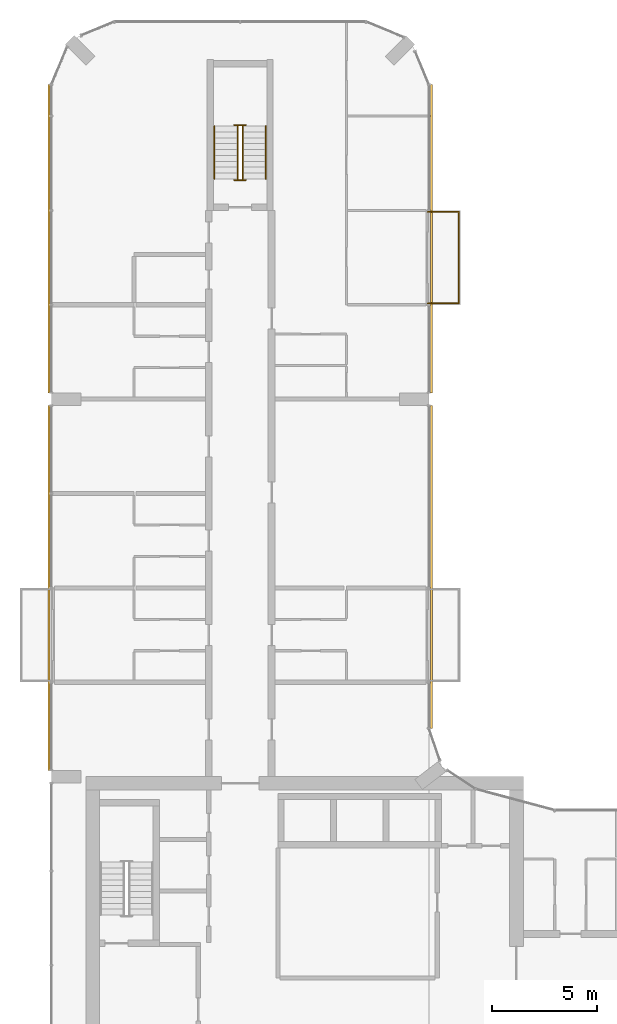
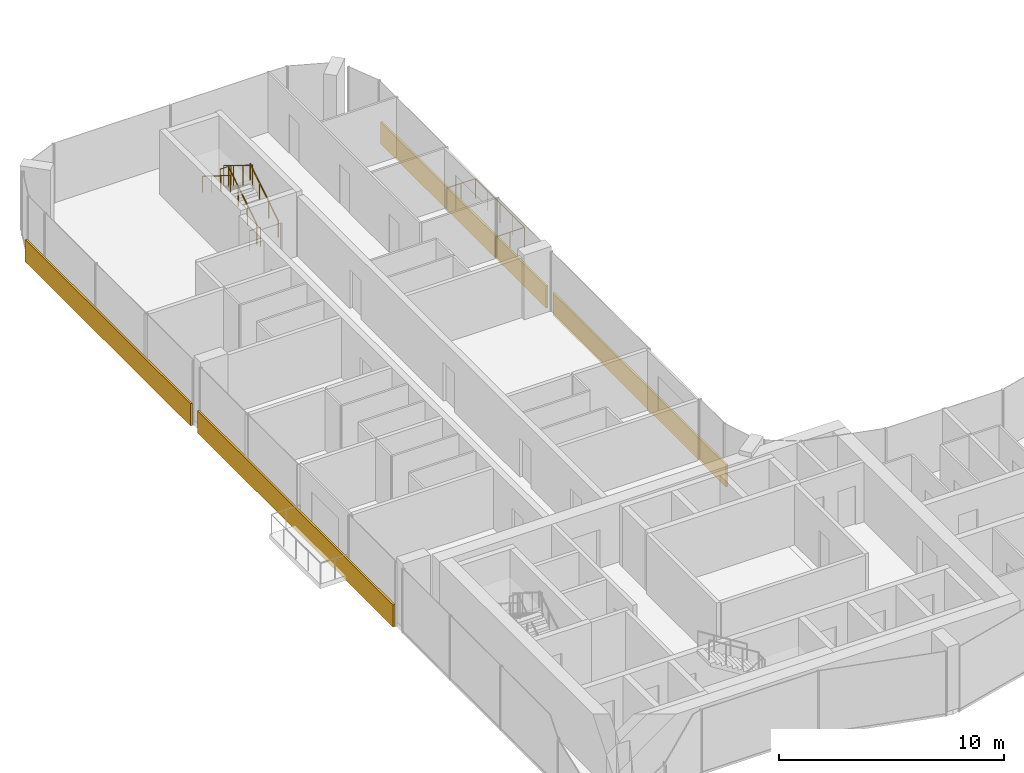
# One storey, part 21 of 22: 7 railings, 4 coverings.
"""IFC4 building model written with IfcOpenShell, lengths in metres."""

from ifc_helpers import new_model, si_unit, direction, frame, origin, origin_2d, place, context, subcontext, project, spatial, rectangle, circle, extrude, material, layer, layer_set, type_object, element, save


model = new_model("IFC4")

# Units and contexts
model_context = context("Model", 3, precision=1e-05, world=origin(), true_north=direction((0.0, 1.0)))
body_context = subcontext(model_context, "Body", "Model", "MODEL_VIEW")
ifc_project = project(units=[si_unit("LENGTHUNIT", "METRE"), si_unit("AREAUNIT", "SQUARE_METRE"), si_unit("VOLUMEUNIT", "CUBIC_METRE"), si_unit("PLANEANGLEUNIT", "RADIAN"), si_unit("MASSUNIT", "GRAM", prefix="KILO")], contexts=[model_context])

# Site, building, storey
site_placement = place(None, origin())
site = spatial("IfcSite", under=ifc_project, at=site_placement, CompositionType="ELEMENT")
building_placement = place(site_placement, origin())
building = spatial("IfcBuilding", under=site, at=building_placement, Name="Plateau Cross Towers", CompositionType="ELEMENT")
storey_placement = place(building_placement, frame((0.0, 0.0, 102.800048828125)))
storey = spatial("IfcBuildingStorey", under=building, at=storey_placement, Name="L26", CompositionType="ELEMENT", Elevation=102.800048828125)

# Railings
ifc_material_1 = material(Name="Stainless steel and toughened glass", Category="steel")
railing_type_1 = type_object("IfcRailingType", Name="Glass balustrade guard 1100", PredefinedType="GUARDRAIL", material=ifc_material_1)
railing_1_placement = place(storey_placement, frame((17.949951171875, 44.929931640625, 0.0)))
element("IfcRailing", 1, at=railing_1_placement, inside=storey, type_object=railing_type_1, Name="Guard guard1", PredefinedType="GUARDRAIL", context=body_context, shape_type="SweptSolid", body=[
    extrude(circle(Radius=0.02392578125, at=origin_2d()), frame((0.0, 0.0, 1.076171875), z_axis=(1.0, 0.0, 0.0), x_axis=(0.0, 1.0, 0.0)), (0.0, 0.0, 1.0), 1.47998046875),
    extrude(circle(Radius=0.02392578125, at=origin_2d()), frame((1.47998046875, 0.0, 1.076171875), z_axis=(0.0, -1.0, 0.0), x_axis=(1.0, 0.0, 0.0)), (0.0, 0.0, 1.0), 4.35986328125),
    extrude(circle(Radius=0.02392578125, at=origin_2d()), frame((1.47998046875, -4.35986328125, 1.076171875), z_axis=(-1.0, 0.0, 0.0), x_axis=(0.0, -1.0, 0.0)), (0.0, 0.0, 1.0), 1.47998046875),
    extrude(circle(Radius=0.02099609375, at=origin_2d()), origin(), (0.0, 0.0, 1.0), 1.052001953125),
    extrude(circle(Radius=0.02099609375, at=origin_2d()), frame((0.739990234375, 0.0, 0.0)), (0.0, 0.0, 1.0), 1.052001953125),
    extrude(circle(Radius=0.02099609375, at=origin_2d()), frame((1.47998046875, 0.0, 0.0)), (0.0, 0.0, 1.0), 1.052001953125),
    extrude(circle(Radius=0.02099609375, at=origin_2d()), frame((1.47998046875, -1.08984375, 0.0)), (0.0, 0.0, 1.0), 1.052001953125),
    extrude(circle(Radius=0.02099609375, at=origin_2d()), frame((1.47998046875, -2.179931640625, 0.0)), (0.0, 0.0, 1.0), 1.052001953125),
    extrude(circle(Radius=0.02099609375, at=origin_2d()), frame((1.47998046875, -3.27001953125, 0.0)), (0.0, 0.0, 1.0), 1.052001953125),
    extrude(circle(Radius=0.02099609375, at=origin_2d()), frame((1.47998046875, -4.35986328125, 0.0)), (0.0, 0.0, 1.0), 1.052001953125),
    extrude(circle(Radius=0.02099609375, at=origin_2d()), frame((0.739990234375, -4.35986328125, 0.0)), (0.0, 0.0, 1.0), 1.052001953125),
    extrude(circle(Radius=0.02099609375, at=origin_2d()), frame((0.0, -4.35986328125, 0.0)), (0.0, 0.0, 1.0), 1.052001953125),
])
railing_type_2 = type_object("IfcRailingType", Name="RL-GUARD-1100", PredefinedType="GUARDRAIL", material=ifc_material_1)
railing_2_placement = place(storey_placement, frame((9.125, 46.5, 0.175048828125)))
element("IfcRailing", 2, at=railing_2_placement, inside=storey, type_object=railing_type_2, Name="L26 ES-N stair guard 1", PredefinedType="GUARDRAIL", context=body_context, shape_type="SweptSolid", body=[
    extrude(circle(Radius=0.02392578125, at=origin_2d()), frame((0.0, 0.0, 1.076171875), z_axis=(0.0, 0.848007534815, 0.529984170421), x_axis=(-1.0, 0.0, 0.0)), (0.0, 0.0, 1.0), 2.9716796875),
    extrude(circle(Radius=0.02099609375, at=origin_2d()), origin(), (0.0, 0.0, 1.0), 1.052001953125),
    extrude(circle(Radius=0.02099609375, at=origin_2d()), frame((0.0, 0.840087890625, 0.52490234375)), (0.0, 0.0, 1.0), 1.052001953125),
    extrude(circle(Radius=0.02099609375, at=origin_2d()), frame((0.0, 1.679931640625, 1.050048828125)), (0.0, 0.0, 1.0), 1.052001953125),
    extrude(circle(Radius=0.02099609375, at=origin_2d()), frame((0.0, 2.52001953125, 1.574951171875)), (0.0, 0.0, 1.0), 1.052001953125),
])
railing_3_placement = place(storey_placement, frame((9.27490234375, 49.070068359375, 1.75)))
element("IfcRailing", 3, at=railing_3_placement, inside=storey, type_object=railing_type_2, Name="L26 ES-N stair guard 2", PredefinedType="GUARDRAIL", context=body_context, shape_type="SweptSolid", body=[
    extrude(circle(Radius=0.02392578125, at=origin_2d()), frame((0.0, 0.0, 1.076171875), z_axis=(-1.0, 0.0, 0.0), x_axis=(0.0, -1.0, 0.0)), (0.0, 0.0, 1.0), 0.5498046875),
    extrude(circle(Radius=0.02099609375, at=origin_2d()), origin(), (0.0, 0.0, 1.0), 1.052001953125),
    extrude(circle(Radius=0.02099609375, at=origin_2d()), frame((-0.5498046875, 0.0, 0.0)), (0.0, 0.0, 1.0), 1.052001953125),
])
railing_4_placement = place(storey_placement, frame((8.875, 49.02001953125, 1.925048828125)))
element("IfcRailing", 4, at=railing_4_placement, inside=storey, type_object=railing_type_2, Name="L26 ES-N stair guard 3", PredefinedType="GUARDRAIL", context=body_context, shape_type="SweptSolid", body=[
    extrude(circle(Radius=0.02392578125, at=origin_2d()), frame((0.0, 0.0, 1.076171875), z_axis=(0.0, -0.852638500773, 0.522501279423), x_axis=(1.0, 0.0, 0.0)), (0.0, 0.0, 1.0), 3.01416015625),
    extrude(circle(Radius=0.02099609375, at=origin_2d()), origin(), (0.0, 0.0, 1.0), 1.052001953125),
    extrude(circle(Radius=0.02099609375, at=origin_2d()), frame((0.0, -0.856689453125, 0.52490234375)), (0.0, 0.0, 1.0), 1.052001953125),
    extrude(circle(Radius=0.02099609375, at=origin_2d()), frame((0.0, -1.71337890625, 1.050048828125)), (0.0, 0.0, 1.0), 1.052001953125),
    extrude(circle(Radius=0.02099609375, at=origin_2d()), frame((0.0, -2.570068359375, 1.574951171875)), (0.0, 0.0, 1.0), 1.052001953125),
])
railing_5_placement = place(storey_placement, frame((9.27490234375, 46.449951171875, 0.0)))
element("IfcRailing", 5, at=railing_5_placement, inside=storey, type_object=railing_type_2, Name="L26 ES-N stair guard 4", PredefinedType="GUARDRAIL", context=body_context, shape_type="SweptSolid", body=[
    extrude(circle(Radius=0.02392578125, at=origin_2d()), frame((0.0, 0.0, 1.076171875), z_axis=(-1.0, 0.0, 0.0), x_axis=(0.0, -1.0, 0.0)), (0.0, 0.0, 1.0), 0.5498046875),
    extrude(circle(Radius=0.02099609375, at=origin_2d()), origin(), (0.0, 0.0, 1.0), 1.052001953125),
    extrude(circle(Radius=0.02099609375, at=origin_2d()), frame((-0.5498046875, 0.0, 0.0)), (0.0, 0.0, 1.0), 1.052001953125),
])
ifc_material_2 = material(Name="Black anodised aluminium", Category="aluminium")
railing_type_3 = type_object("IfcRailingType", Name="RL-HANDRAIL-900", PredefinedType="HANDRAIL", material=ifc_material_2)
railing_6_placement = place(storey_placement, frame((10.22509765625, 46.5, 0.175048828125)))
element("IfcRailing", 6, at=railing_6_placement, inside=storey, type_object=railing_type_3, Name="L26 ES-N stair handrail 1", PredefinedType="HANDRAIL", context=body_context, shape_type="SweptSolid", body=[
    extrude(circle(Radius=0.02392578125, at=origin_2d()), frame((0.0, 0.0, 0.8759765625), z_axis=(0.0, 0.848007534815, 0.529984170421), x_axis=(-1.0, 0.0, 0.0)), (0.0, 0.0, 1.0), 2.9716796875),
    extrude(circle(Radius=0.02099609375, at=origin_2d()), origin(), (0.0, 0.0, 1.0), 0.851806640625),
    extrude(circle(Radius=0.02099609375, at=origin_2d()), frame((0.0, 0.840087890625, 0.52490234375)), (0.0, 0.0, 1.0), 0.851806640625),
    extrude(circle(Radius=0.02099609375, at=origin_2d()), frame((0.0, 1.679931640625, 1.050048828125)), (0.0, 0.0, 1.0), 0.851806640625),
    extrude(circle(Radius=0.02099609375, at=origin_2d()), frame((0.0, 2.52001953125, 1.574951171875)), (0.0, 0.0, 1.0), 0.851806640625),
])
railing_7_placement = place(storey_placement, frame((7.77490234375, 49.02001953125, 1.925048828125)))
element("IfcRailing", 7, at=railing_7_placement, inside=storey, type_object=railing_type_3, Name="L26 ES-N stair handrail 2", PredefinedType="HANDRAIL", context=body_context, shape_type="SweptSolid", body=[
    extrude(circle(Radius=0.02392578125, at=origin_2d()), frame((0.0, 0.0, 0.8759765625), z_axis=(0.0, -0.848007534815, 0.529984170421), x_axis=(1.0, 0.0, 0.0)), (0.0, 0.0, 1.0), 2.9716796875),
    extrude(circle(Radius=0.02099609375, at=origin_2d()), origin(), (0.0, 0.0, 1.0), 0.851806640625),
    extrude(circle(Radius=0.02099609375, at=origin_2d()), frame((0.0, -0.840087890625, 0.52490234375)), (0.0, 0.0, 1.0), 0.851806640625),
    extrude(circle(Radius=0.02099609375, at=origin_2d()), frame((0.0, -1.679931640625, 1.050048828125)), (0.0, 0.0, 1.0), 0.851806640625),
    extrude(circle(Radius=0.02099609375, at=origin_2d()), frame((0.0, -2.52001953125, 1.574951171875)), (0.0, 0.0, 1.0), 0.851806640625),
])

# Coverings
ifc_material_3 = material(Name="Precast concrete cladding C40/50", Category="concrete")
ifc_layer = layer(ifc_material_3, 0.10009765625)
ifc_layer_set = layer_set([ifc_layer], Name="Precast concrete cladding C40/50")
covering_type = type_object("IfcCoveringType", Name="Spandrel band cladding 100x1200", PredefinedType="CLADDING", material=ifc_layer_set)
covering_1_placement = place(storey_placement, frame((18.1201171875, 28.001220703125, -0.25), z_axis=(0.0, 0.0, 1.0), x_axis=(0.0, 1.0, 0.0)))
element("IfcCovering", 8, at=covering_1_placement, inside=storey, type_object=covering_type, Name="Spandrel band", PredefinedType="CLADDING", context=body_context, shape_type="SweptSolid", body=[
    extrude(rectangle(XDim=15.397705078125, YDim=0.10009765625, at=origin_2d()), origin(), (0.0, 0.0, 1.0), 1.199951171875),
])
for number, where, z_axis, x_axis, name in (
    (9, (18.1201171875, 43.64990234375, -0.25), (0.0, 0.0, 1.0), (0.0, 1.0, 0.0), "Spandrel band"),
    (10, (-0.1201171875, 43.64990234375, -0.25), (0.0, 0.0, 1.0), (0.0, -1.0, 0.0), "Spandrel band"),
):
    element("IfcCovering", number, at=place(storey_placement, frame(where, z_axis=z_axis, x_axis=x_axis)), inside=storey, type_object=covering_type, Name=name, PredefinedType="CLADDING", context=body_context, shape_type="SweptSolid", body=[
        extrude(rectangle(XDim=14.699951171875, YDim=0.10009765625, at=origin_2d()), origin(), (0.0, 0.0, 1.0), 1.199951171875),
    ])
covering_2_placement = place(storey_placement, frame((-0.1201171875, 27.0, -0.25), z_axis=(0.0, 0.0, 1.0), x_axis=(0.0, -1.0, 0.0)))
element("IfcCovering", 11, at=covering_2_placement, inside=storey, type_object=covering_type, Name="Spandrel band", PredefinedType="CLADDING", context=body_context, shape_type="SweptSolid", body=[
    extrude(rectangle(XDim=17.39990234375, YDim=0.10009765625, at=origin_2d()), origin(), (0.0, 0.0, 1.0), 1.199951171875),
])

save(model, "model.ifc")
